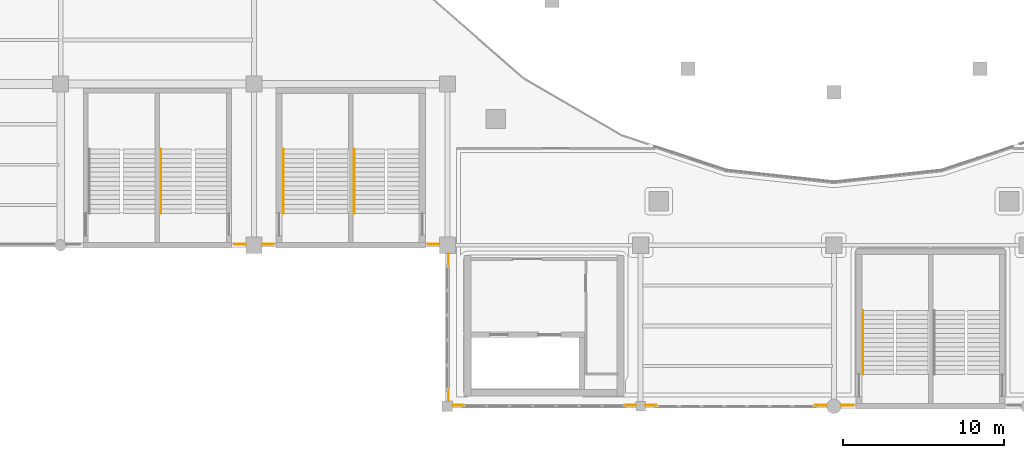
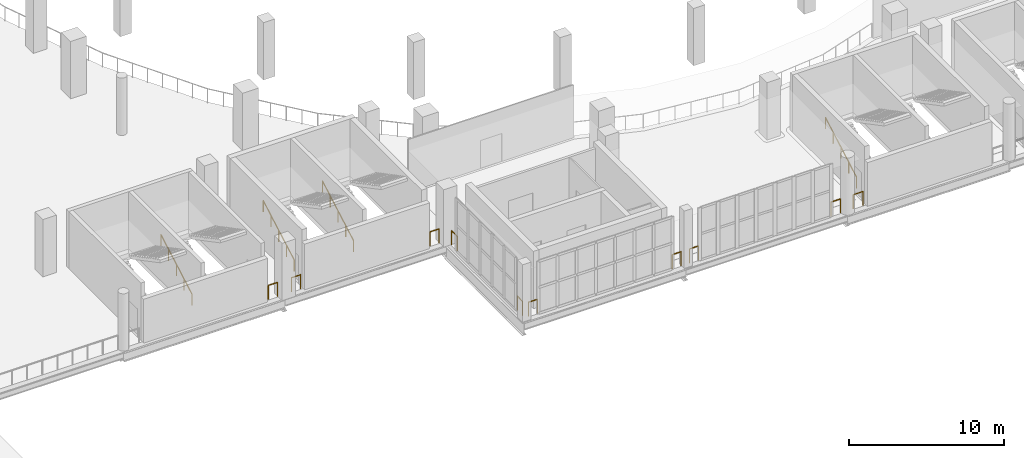
# One storey, part 97 of 108: 14 railings.
"""IFC4 building model written with IfcOpenShell, lengths in metres."""

from ifc_helpers import new_model, si_unit, direction, frame, origin, origin_2d, place, context, subcontext, project, spatial, circle, extrude, material, type_object, element, save


model = new_model("IFC4")

# Units and contexts
model_context = context("Model", 3, precision=1e-05, world=origin(), true_north=direction((0.0, 1.0)))
body_context = subcontext(model_context, "Body", "Model", "MODEL_VIEW")
ifc_project = project(units=[si_unit("LENGTHUNIT", "METRE"), si_unit("AREAUNIT", "SQUARE_METRE"), si_unit("VOLUMEUNIT", "CUBIC_METRE"), si_unit("PLANEANGLEUNIT", "RADIAN"), si_unit("MASSUNIT", "GRAM", prefix="KILO")], contexts=[model_context])

# Site, building, storey
site_placement = place(None, origin())
site = spatial("IfcSite", under=ifc_project, at=site_placement, CompositionType="ELEMENT")
building_placement = place(site_placement, origin())
building = spatial("IfcBuilding", under=site, at=building_placement, Name="Brinegate Civic Arena", CompositionType="ELEMENT")
storey_placement = place(building_placement, frame((0.0, 0.0, 10.199951171875)))
storey = spatial("IfcBuildingStorey", under=building, at=storey_placement, Name="L02", CompositionType="ELEMENT", Elevation=10.199951171875)

# Railings
ifc_material = material(Name="Architectural stainless steel balustrade", Category="steel")
railing_type_1 = type_object("IfcRailingType", Name="RAIL-STAIR-HANDRAIL-900", PredefinedType="HANDRAIL", material=ifc_material)
for number, where, name in (
    (1, (66.22509765625, 11.969970703125, 0.0), "Stair Pitch Handrail ST-02B L02"),
    (2, (73.824951171875, 11.969970703125, 0.0), "Stair Pitch Handrail ST-12A L02"),
    (3, (78.22509765625, 11.969970703125, 0.0), "Stair Pitch Handrail ST-12B L02"),
    (4, (109.804931640625, 1.969970703125, 0.0), "Stair Pitch Handrail ST-16A L02"),
):
    element("IfcRailing", number, at=place(storey_placement, frame(where)), inside=storey, type_object=railing_type_1, Name=name, PredefinedType="HANDRAIL", context=body_context, shape_type="SweptSolid", body=[
        extrude(circle(Radius=0.02392578125, at=origin_2d()), frame((0.0, 0.001220703125, 0.876708984375), z_axis=(0.0, 0.871049806155, 0.491194701923), x_axis=(-1.0, 0.0, 0.0)), (0.0, 0.0, 1.0), 4.57763671875),
        extrude(circle(Radius=0.02099609375, at=origin_2d()), origin(), (0.0, 0.0, 1.0), 0.849853515625),
        extrude(circle(Radius=0.02099609375, at=origin_2d()), frame((0.0, 0.99755859375, 0.5625)), (0.0, 0.0, 1.0), 0.849853515625),
        extrude(circle(Radius=0.02099609375, at=origin_2d()), frame((0.0, 1.9951171875, 1.125)), (0.0, 0.0, 1.0), 0.849853515625),
        extrude(circle(Radius=0.02099609375, at=origin_2d()), frame((0.0, 2.992431640625, 1.6875)), (0.0, 0.0, 1.0), 0.849853515625),
        extrude(circle(Radius=0.02099609375, at=origin_2d()), frame((0.0, 3.989990234375, 2.25)), (0.0, 0.0, 1.0), 0.849853515625),
    ])
railing_type_2 = type_object("IfcRailingType", Name="RAIL-VOID-BALUSTRADE-1120", PredefinedType="BALUSTRADE", material=ifc_material)
railing_1_placement = place(storey_placement, frame((109.199951171875, 0.070068359375, 0.0)))
element("IfcRailing", 5, at=railing_1_placement, inside=storey, type_object=railing_type_2, Name="Deck Edge Balustrade L02-186", PredefinedType="BALUSTRADE", context=body_context, shape_type="SweptSolid", body=[
    extrude(circle(Radius=0.02392578125, at=origin_2d()), frame((-0.00146484375, 0.0, 1.09619140625), z_axis=(-1.0, 0.0, 0.0), x_axis=(0.0, -1.0, 0.0)), (0.0, 0.0, 1.0), 0.72705078125),
    extrude(circle(Radius=0.02099609375, at=origin_2d()), origin(), (0.0, 0.0, 1.0), 1.070068359375),
    extrude(circle(Radius=0.02099609375, at=origin_2d()), frame((-0.72998046875, 0.0, 0.0)), (0.0, 0.0, 1.0), 1.070068359375),
])
railing_2_placement = place(storey_placement, frame((107.530029296875, 0.070068359375, 0.0)))
element("IfcRailing", 6, at=railing_2_placement, inside=storey, type_object=railing_type_2, Name="Deck Edge Balustrade L02-187", PredefinedType="BALUSTRADE", context=body_context, shape_type="SweptSolid", body=[
    extrude(circle(Radius=0.02392578125, at=origin_2d()), frame((-0.00146484375, 0.0, 1.09619140625), z_axis=(-1.0, 0.0, 0.0), x_axis=(0.0, -1.0, 0.0)), (0.0, 0.0, 1.0), 0.713134765625),
    extrude(circle(Radius=0.02099609375, at=origin_2d()), origin(), (0.0, 0.0, 1.0), 1.070068359375),
    extrude(circle(Radius=0.02099609375, at=origin_2d()), frame((-0.716064453125, 0.0, 0.0)), (0.0, 0.0, 1.0), 1.070068359375),
])
for number, where, name in (
    (7, (96.97412109375, 0.070068359375, 0.0), "Deck Edge Balustrade L02-188"),
    (8, (95.679931640625, 0.070068359375, 0.0), "Deck Edge Balustrade L02-189"),
):
    element("IfcRailing", number, at=place(storey_placement, frame(where)), inside=storey, type_object=railing_type_2, Name=name, PredefinedType="BALUSTRADE", context=body_context, shape_type="SweptSolid", body=[
        extrude(circle(Radius=0.02392578125, at=origin_2d()), frame((-0.00146484375, 0.0, 1.09619140625), z_axis=(-1.0, 0.0, 0.0), x_axis=(0.0, -1.0, 0.0)), (0.0, 0.0, 1.0), 0.651123046875),
        extrude(circle(Radius=0.02099609375, at=origin_2d()), origin(), (0.0, 0.0, 1.0), 1.070068359375),
        extrude(circle(Radius=0.02099609375, at=origin_2d()), frame((-0.654052734375, 0.0, 0.0)), (0.0, 0.0, 1.0), 1.070068359375),
    ])
railing_3_placement = place(storey_placement, frame((85.010009765625, 0.070068359375, 0.0)))
element("IfcRailing", 9, at=railing_3_placement, inside=storey, type_object=railing_type_2, Name="Deck Edge Balustrade L02-190", PredefinedType="BALUSTRADE", context=body_context, shape_type="SweptSolid", body=[
    extrude(circle(Radius=0.02392578125, at=origin_2d()), frame((-0.00146484375, 0.0, 1.09619140625), z_axis=(-1.0, 0.0, 0.0), x_axis=(0.0, -1.0, 0.0)), (0.0, 0.0, 1.0), 0.662109375),
    extrude(circle(Radius=0.02099609375, at=origin_2d()), origin(), (0.0, 0.0, 1.0), 1.070068359375),
    extrude(circle(Radius=0.02099609375, at=origin_2d()), frame((-0.6650390625, 0.0, 0.0)), (0.0, 0.0, 1.0), 1.070068359375),
])
railing_4_placement = place(storey_placement, frame((84.070068359375, 0.344970703125, 0.0)))
element("IfcRailing", 10, at=railing_4_placement, inside=storey, type_object=railing_type_2, Name="Deck Edge Balustrade L02-191", PredefinedType="BALUSTRADE", context=body_context, shape_type="SweptSolid", body=[
    extrude(circle(Radius=0.02392578125, at=origin_2d()), frame((0.0, 0.00146484375, 1.09619140625), z_axis=(0.0, 1.0, 0.0), x_axis=(-1.0, 0.0, 0.0)), (0.0, 0.0, 1.0), 0.662109375),
    extrude(circle(Radius=0.02099609375, at=origin_2d()), origin(), (0.0, 0.0, 1.0), 1.070068359375),
    extrude(circle(Radius=0.02099609375, at=origin_2d()), frame((0.0, 0.6650390625, 0.0)), (0.0, 0.0, 1.0), 1.070068359375),
])
railing_5_placement = place(storey_placement, frame((84.070068359375, 8.742919921875, 0.0)))
element("IfcRailing", 11, at=railing_5_placement, inside=storey, type_object=railing_type_2, Name="Deck Edge Balustrade L02-192", PredefinedType="BALUSTRADE", context=body_context, shape_type="SweptSolid", body=[
    extrude(circle(Radius=0.02392578125, at=origin_2d()), frame((0.0, 0.00146484375, 1.09619140625), z_axis=(0.0, 1.0, 0.0), x_axis=(-1.0, 0.0, 0.0)), (0.0, 0.0, 1.0), 0.734130859375),
    extrude(circle(Radius=0.02099609375, at=origin_2d()), origin(), (0.0, 0.0, 1.0), 1.070068359375),
    extrude(circle(Radius=0.02099609375, at=origin_2d()), frame((0.0, 0.737060546875, 0.0)), (0.0, 0.0, 1.0), 1.070068359375),
])
for number, where, name in (
    (12, (83.47998046875, 10.070068359375, 0.0), "Deck Edge Balustrade L02-193"),
    (13, (73.199951171875, 10.070068359375, 0.0), "Deck Edge Balustrade L02-194"),
    (14, (71.47998046875, 10.070068359375, 0.0), "Deck Edge Balustrade L02-195"),
):
    element("IfcRailing", number, at=place(storey_placement, frame(where)), inside=storey, type_object=railing_type_2, Name=name, PredefinedType="BALUSTRADE", context=body_context, shape_type="SweptSolid", body=[
        extrude(circle(Radius=0.02392578125, at=origin_2d()), frame((-0.00146484375, 0.0, 1.09619140625), z_axis=(-1.0, 0.0, 0.0), x_axis=(0.0, -1.0, 0.0)), (0.0, 0.0, 1.0), 0.677001953125),
        extrude(circle(Radius=0.02099609375, at=origin_2d()), origin(), (0.0, 0.0, 1.0), 1.070068359375),
        extrude(circle(Radius=0.02099609375, at=origin_2d()), frame((-0.679931640625, 0.0, 0.0)), (0.0, 0.0, 1.0), 1.070068359375),
    ])

save(model, "model.ifc")
